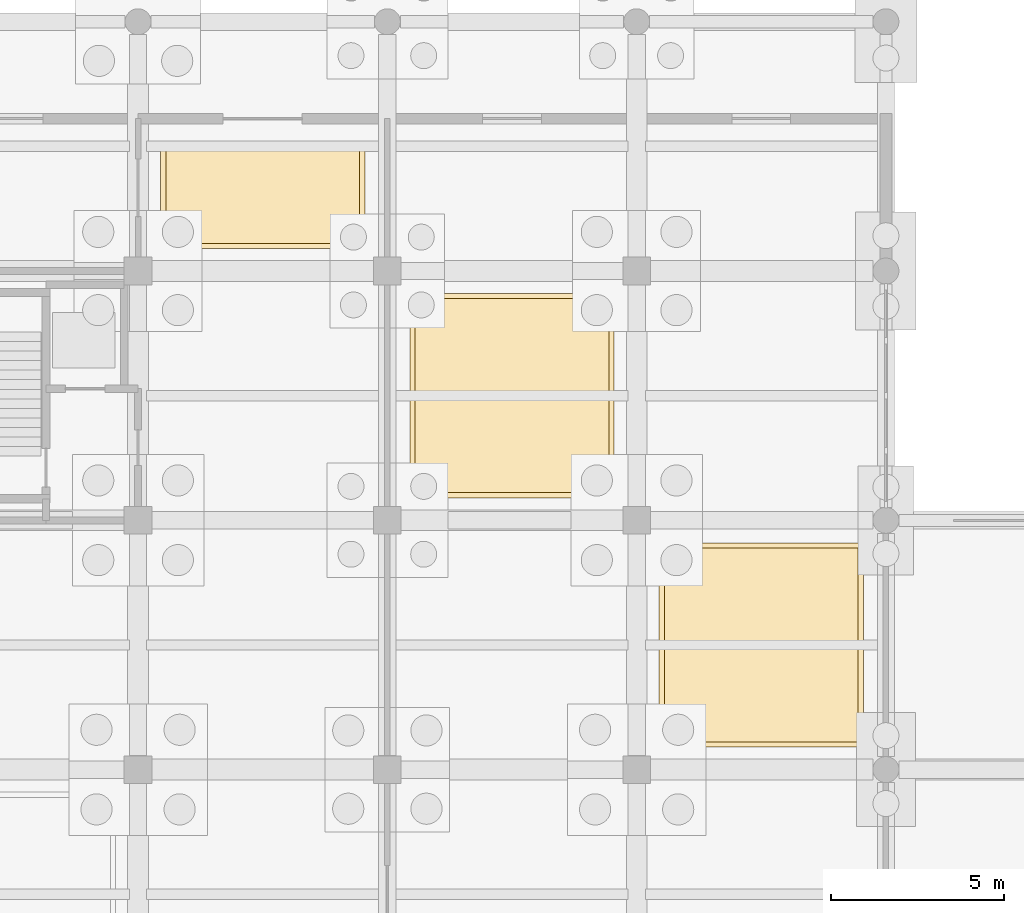
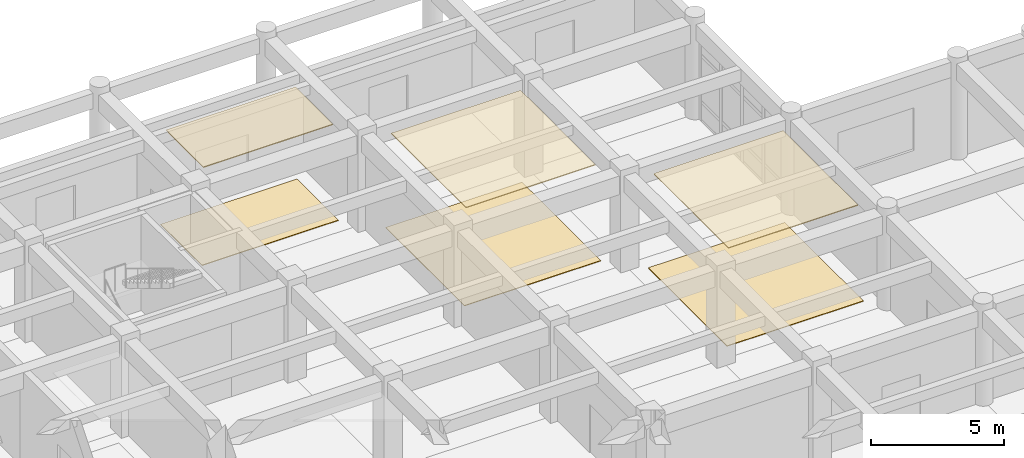
# One storey, part 78 of 79: 6 coverings.
"""IFC4 building model written with IfcOpenShell, lengths in metres."""

from ifc_helpers import new_model, si_unit, direction, frame, origin, place, context, subcontext, project, spatial, polyline, outline, extrude, material, layer, layer_set, type_object, element, save


model = new_model("IFC4")

# Units and contexts
model_context = context("Model", 3, precision=1e-05, world=origin(), true_north=direction((0.0, 1.0)))
body_context = subcontext(model_context, "Body", "Model", "MODEL_VIEW")
ifc_project = project(units=[si_unit("LENGTHUNIT", "METRE"), si_unit("AREAUNIT", "SQUARE_METRE"), si_unit("VOLUMEUNIT", "CUBIC_METRE"), si_unit("PLANEANGLEUNIT", "RADIAN"), si_unit("MASSUNIT", "GRAM", prefix="KILO")], contexts=[model_context])

# Site, building, storey
site_placement = place(None, origin())
site = spatial("IfcSite", under=ifc_project, at=site_placement, CompositionType="ELEMENT")
building_placement = place(site_placement, origin())
building = spatial("IfcBuilding", under=site, at=building_placement, Name="Kavelor Marine Aquarium", CompositionType="ELEMENT")
storey_placement = place(building_placement, origin())
storey = spatial("IfcBuildingStorey", under=building, at=storey_placement, Name="L00", CompositionType="ELEMENT", Elevation=0.0)

# Coverings
ifc_material_1 = material(Name="Moisture-Resistant Acoustic Mineral-Fibre Ceiling")
ifc_layer_1 = layer(ifc_material_1, 0.0400390625)
ifc_layer_set_1 = layer_set([ifc_layer_1], Name="COV-CE1")
covering_type_1 = type_object("IfcCoveringType", Name="COV-CE1", PredefinedType="CEILING", material=ifc_layer_set_1)
covering_1_placement = place(storey_placement, frame((0.0, 0.0, 4.340087890625)))
element("IfcCovering", 1, at=covering_1_placement, inside=storey, type_object=covering_type_1, Name="ceil:L00:18_14", PredefinedType="CEILING", context=body_context, shape_type="SweptSolid", body=[
    extrude(outline(polyline([(133.60009765625, 104.39990234375), (139.199951171875, 104.39990234375), (139.199951171875, 107.199951171875), (133.60009765625, 107.199951171875), (133.60009765625, 104.39990234375)])), origin(), (0.0, 0.0, 1.0), 0.039794921875),
])
covering_2_placement = place(storey_placement, frame((0.0, 0.0, 4.340087890625)))
element("IfcCovering", 2, at=covering_2_placement, inside=storey, type_object=covering_type_1, Name="ceil:L00:19_13", PredefinedType="CEILING", context=body_context, shape_type="SweptSolid", body=[
    extrude(outline(polyline([(140.800048828125, 97.199951171875), (146.39990234375, 97.199951171875), (146.39990234375, 102.800048828125), (140.800048828125, 102.800048828125), (140.800048828125, 97.199951171875)])), origin(), (0.0, 0.0, 1.0), 0.039794921875),
])
covering_3_placement = place(storey_placement, frame((0.0, 0.0, 4.340087890625)))
element("IfcCovering", 3, at=covering_3_placement, inside=storey, type_object=covering_type_1, Name="ceil:L00:20_12", PredefinedType="CEILING", context=body_context, shape_type="SweptSolid", body=[
    extrude(outline(polyline([(148.0, 90.0), (153.60009765625, 90.0), (153.60009765625, 95.60009765625), (148.0, 95.60009765625), (148.0, 90.0)])), origin(), (0.0, 0.0, 1.0), 0.039794921875),
])
ifc_material_2 = material(Name="Polished Coastal Terrazzo Flooring")
ifc_layer_2 = layer(ifc_material_2, 0.030029296875)
ifc_layer_set_2 = layer_set([ifc_layer_2], Name="COV-FL1")
covering_type_2 = type_object("IfcCoveringType", Name="COV-FL1", PredefinedType="FLOORING", material=ifc_layer_set_2)
covering_4_placement = place(storey_placement, origin())
element("IfcCovering", 4, at=covering_4_placement, inside=storey, type_object=covering_type_2, Name="flr:L00:18_14", PredefinedType="FLOORING", context=body_context, shape_type="SweptSolid", body=[
    extrude(outline(polyline([(133.449951171875, 104.25), (139.35009765625, 104.25), (139.35009765625, 107.35009765625), (133.449951171875, 107.35009765625), (133.449951171875, 104.25)])), origin(), (0.0, 0.0, 1.0), 0.030029296875),
])
covering_5_placement = place(storey_placement, origin())
element("IfcCovering", 5, at=covering_5_placement, inside=storey, type_object=covering_type_2, Name="flr:L00:19_13", PredefinedType="FLOORING", context=body_context, shape_type="SweptSolid", body=[
    extrude(outline(polyline([(140.64990234375, 97.050048828125), (146.550048828125, 97.050048828125), (146.550048828125, 102.949951171875), (140.64990234375, 102.949951171875), (140.64990234375, 97.050048828125)])), origin(), (0.0, 0.0, 1.0), 0.030029296875),
])
covering_6_placement = place(storey_placement, origin())
element("IfcCovering", 6, at=covering_6_placement, inside=storey, type_object=covering_type_2, Name="flr:L00:20_12", PredefinedType="FLOORING", context=body_context, shape_type="SweptSolid", body=[
    extrude(outline(polyline([(147.85009765625, 89.85009765625), (153.75, 89.85009765625), (153.75, 95.75), (147.85009765625, 95.75), (147.85009765625, 89.85009765625)])), origin(), (0.0, 0.0, 1.0), 0.030029296875),
])

save(model, "model.ifc")
